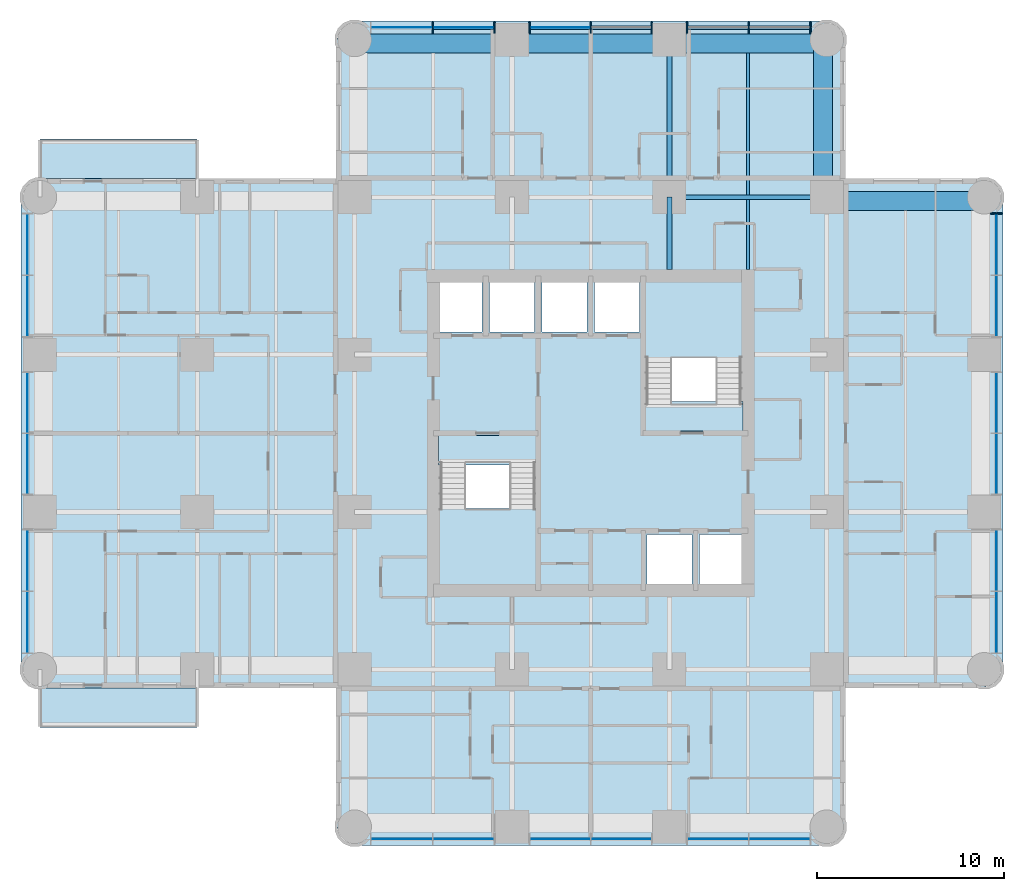
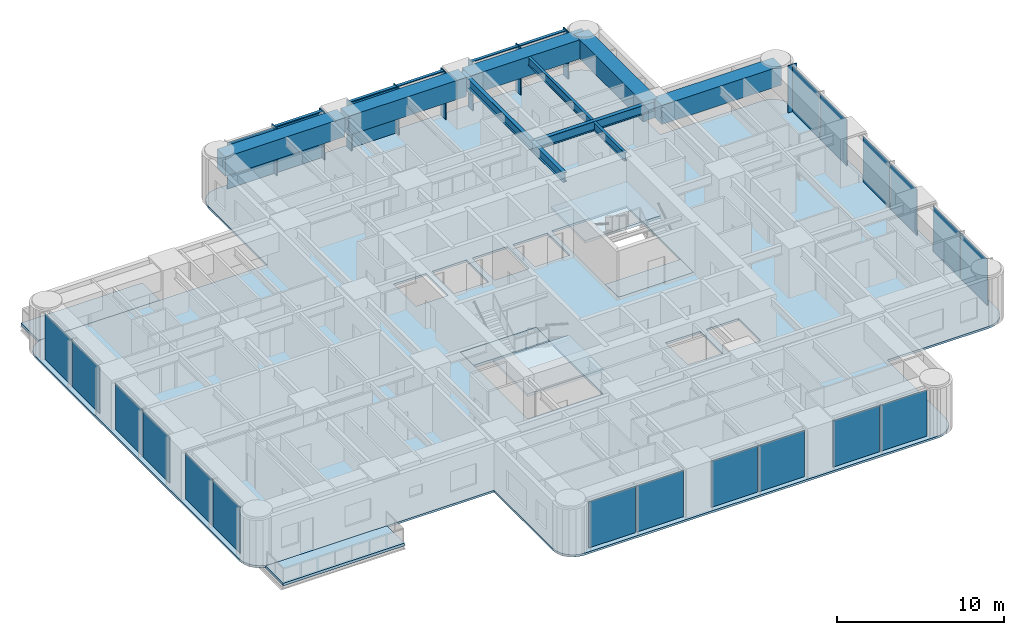
# One storey, part 3 of 11: 21 plates, 14 members, 10 beams, 7 slabs, 6 elements without a shape of their own.
"""IFC4 building model written with IfcOpenShell, lengths in metres."""

from ifc_helpers import new_model, si_unit, direction, frame, origin, origin_2d, place, context, subcontext, project, spatial, polyline, rectangle, i_section, outline, extrude, material, layer, layer_set, material_profile, profile_set, type_object, element, aggregate, save


model = new_model("IFC4")

# Units and contexts
model_context = context("Model", 3, precision=1e-05, world=origin(), true_north=direction((0.0, 1.0)))
body_context = subcontext(model_context, "Body", "Model", "MODEL_VIEW")
ifc_project = project(units=[si_unit("LENGTHUNIT", "METRE"), si_unit("AREAUNIT", "SQUARE_METRE"), si_unit("VOLUMEUNIT", "CUBIC_METRE"), si_unit("PLANEANGLEUNIT", "RADIAN"), si_unit("MASSUNIT", "GRAM", prefix="KILO")], contexts=[model_context])

# Site, building, storey
site_placement = place(None, origin())
site = spatial("IfcSite", under=ifc_project, at=site_placement, CompositionType="ELEMENT")
building_placement = place(site_placement, origin())
building = spatial("IfcBuilding", under=site, at=building_placement, Name="Torre Alcanfor", CompositionType="ELEMENT")
storey_placement = place(building_placement, frame((0.0, 0.0, 186.89990234375)))
storey = spatial("IfcBuildingStorey", under=building, at=storey_placement, Name="L48", CompositionType="ELEMENT", Elevation=186.89990234375)

# Curtain wall, member
ifc_material_1 = material(Name="Aluminium and glass", Category="aluminium")
curtain_wall_type = type_object("IfcCurtainWallType", Name="CW-A unitised apartment glazing with vertical FIN", PredefinedType="NOTDEFINED", material=ifc_material_1)
curtain_wall_1_placement = place(storey_placement, origin())
curtain_wall_1 = element("IfcCurtainWall", 1, at=curtain_wall_1_placement, inside=storey, type_object=curtain_wall_type, Name="Curtain wall CW-A L48 8", PredefinedType="NOTDEFINED")
ifc_material_2 = material(Name="Bronze anodised aluminium", Category="aluminium")
ifc_material_profile_1 = material_profile(ifc_material_2, rectangle(XDim=0.60009765625, YDim=0.06494140625, at=origin_2d()), Name="CW-A mullion 65x600")
ifc_profile_set_1 = profile_set([ifc_material_profile_1], Name="Bronze anodised aluminium")
member_type_1 = type_object("IfcMemberType", Name="CW-A mullion with vertical FIN 65x600", PredefinedType="MULLION", material=ifc_profile_set_1)
member_1_placement = place(storey_placement, frame((51.050048828125, 41.133056640625, 0.0), z_axis=(0.0, 0.0, 1.0), x_axis=(-1.0, 0.0, 0.0)))
member_1 = element("IfcMember", 2, at=member_1_placement, type_object=member_type_1, Name="CW-A mullion 3.3", PredefinedType="MULLION", context=body_context, shape_type="SweptSolid", body=[
    extrude(rectangle(XDim=0.60009765625, YDim=0.06494140625, at=origin_2d()), origin(), (0.0, 0.0, 1.0), 3.4501953125),
])

# Curtain wall, members
curtain_wall_2_placement = place(storey_placement, origin())
curtain_wall_2 = element("IfcCurtainWall", 3, at=curtain_wall_2_placement, inside=storey, type_object=curtain_wall_type, Name="Curtain wall CW-A L48 11", PredefinedType="NOTDEFINED")
member_2_placement = place(storey_placement, frame((41.133056640625, 51.050048828125, 0.0), z_axis=(0.0, 0.0, 1.0), x_axis=(0.0, -1.0, 0.0)))
member_2 = element("IfcMember", 4, at=member_2_placement, type_object=member_type_1, Name="CW-A mullion 1.1", PredefinedType="MULLION", context=body_context, shape_type="SweptSolid", body=[
    extrude(rectangle(XDim=0.60009765625, YDim=0.06494140625, at=origin_2d()), origin(), (0.0, 0.0, 1.0), 3.4501953125),
])
member_3_placement = place(storey_placement, frame((37.835205078125, 51.050048828125, 0.0), z_axis=(0.0, 0.0, 1.0), x_axis=(0.0, -1.0, 0.0)))
member_3 = element("IfcMember", 5, at=member_3_placement, type_object=member_type_1, Name="CW-A mullion 1.2", PredefinedType="MULLION", context=body_context, shape_type="SweptSolid", body=[
    extrude(rectangle(XDim=0.60009765625, YDim=0.06494140625, at=origin_2d()), origin(), (0.0, 0.0, 1.0), 3.4501953125),
])
member_4_placement = place(storey_placement, frame((34.53759765625, 51.050048828125, 0.0), z_axis=(0.0, 0.0, 1.0), x_axis=(0.0, -1.0, 0.0)))
member_4 = element("IfcMember", 6, at=member_4_placement, type_object=member_type_1, Name="CW-A mullion 1.3", PredefinedType="MULLION", context=body_context, shape_type="SweptSolid", body=[
    extrude(rectangle(XDim=0.60009765625, YDim=0.06494140625, at=origin_2d()), origin(), (0.0, 0.0, 1.0), 3.4501953125),
])
member_5_placement = place(storey_placement, frame((32.66259765625, 51.050048828125, 0.0), z_axis=(0.0, 0.0, 1.0), x_axis=(0.0, -1.0, 0.0)))
member_5 = element("IfcMember", 7, at=member_5_placement, type_object=member_type_1, Name="CW-A mullion 2.1", PredefinedType="MULLION", context=body_context, shape_type="SweptSolid", body=[
    extrude(rectangle(XDim=0.60009765625, YDim=0.06494140625, at=origin_2d()), origin(), (0.0, 0.0, 1.0), 3.4501953125),
])
member_6_placement = place(storey_placement, frame((29.39990234375, 51.050048828125, 0.0), z_axis=(0.0, 0.0, 1.0), x_axis=(0.0, -1.0, 0.0)))
member_6 = element("IfcMember", 8, at=member_6_placement, type_object=member_type_1, Name="CW-A mullion 2.2", PredefinedType="MULLION", context=body_context, shape_type="SweptSolid", body=[
    extrude(rectangle(XDim=0.60009765625, YDim=0.06494140625, at=origin_2d()), origin(), (0.0, 0.0, 1.0), 3.4501953125),
])
member_7_placement = place(storey_placement, frame((26.137451171875, 51.050048828125, 0.0), z_axis=(0.0, 0.0, 1.0), x_axis=(0.0, -1.0, 0.0)))
member_7 = element("IfcMember", 9, at=member_7_placement, type_object=member_type_1, Name="CW-A mullion 2.3", PredefinedType="MULLION", context=body_context, shape_type="SweptSolid", body=[
    extrude(rectangle(XDim=0.60009765625, YDim=0.06494140625, at=origin_2d()), origin(), (0.0, 0.0, 1.0), 3.4501953125),
])
member_8_placement = place(storey_placement, frame((24.262451171875, 51.050048828125, 0.0), z_axis=(0.0, 0.0, 1.0), x_axis=(0.0, -1.0, 0.0)))
member_8 = element("IfcMember", 10, at=member_8_placement, type_object=member_type_1, Name="CW-A mullion 3.1", PredefinedType="MULLION", context=body_context, shape_type="SweptSolid", body=[
    extrude(rectangle(XDim=0.60009765625, YDim=0.06494140625, at=origin_2d()), origin(), (0.0, 0.0, 1.0), 3.4501953125),
])
member_9_placement = place(storey_placement, frame((20.96484375, 51.050048828125, 0.0), z_axis=(0.0, 0.0, 1.0), x_axis=(0.0, -1.0, 0.0)))
member_9 = element("IfcMember", 11, at=member_9_placement, type_object=member_type_1, Name="CW-A mullion 3.2", PredefinedType="MULLION", context=body_context, shape_type="SweptSolid", body=[
    extrude(rectangle(XDim=0.60009765625, YDim=0.06494140625, at=origin_2d()), origin(), (0.0, 0.0, 1.0), 3.4501953125),
])
ifc_material_3 = material(Name="Extruded aluminium", Category="aluminium")
ifc_material_profile_2 = material_profile(ifc_material_3, rectangle(XDim=0.199951171875, YDim=0.06494140625, at=origin_2d()), Name="CW-A transom 200x65")
ifc_profile_set_2 = profile_set([ifc_material_profile_2], Name="Extruded aluminium")
member_type_2 = type_object("IfcMemberType", Name="CW-A transom 65x200", PredefinedType="USERDEFINED", material=ifc_profile_set_2)
member_10_placement = place(storey_placement, frame((41.1005859375, 51.050048828125, 3.41748046875), z_axis=(-1.0, 0.0, 0.0), x_axis=(0.0, -1.0, 0.0)))
member_10 = element("IfcMember", 12, at=member_10_placement, type_object=member_type_2, Name="CW-A transom 1.1.2", ObjectType="TRANSOM", PredefinedType="USERDEFINED", context=body_context, shape_type="SweptSolid", body=[
    extrude(rectangle(XDim=0.199951171875, YDim=0.06494140625, at=origin_2d()), origin(), (0.0, 0.0, 1.0), 3.23291015625),
])
member_11_placement = place(storey_placement, frame((37.802734375, 51.050048828125, 3.41748046875), z_axis=(-1.0, 0.0, 0.0), x_axis=(0.0, -1.0, 0.0)))
member_11 = element("IfcMember", 13, at=member_11_placement, type_object=member_type_2, Name="CW-A transom 1.2.2", ObjectType="TRANSOM", PredefinedType="USERDEFINED", context=body_context, shape_type="SweptSolid", body=[
    extrude(rectangle(XDim=0.199951171875, YDim=0.06494140625, at=origin_2d()), origin(), (0.0, 0.0, 1.0), 3.232666015625),
])
member_12_placement = place(storey_placement, frame((32.6298828125, 51.050048828125, 3.41748046875), z_axis=(-1.0, 0.0, 0.0), x_axis=(0.0, -1.0, 0.0)))
member_12 = element("IfcMember", 14, at=member_12_placement, type_object=member_type_2, Name="CW-A transom 2.1.2", ObjectType="TRANSOM", PredefinedType="USERDEFINED", context=body_context, shape_type="SweptSolid", body=[
    extrude(rectangle(XDim=0.199951171875, YDim=0.06494140625, at=origin_2d()), origin(), (0.0, 0.0, 1.0), 3.197265625),
])
member_13_placement = place(storey_placement, frame((29.367431640625, 51.050048828125, 3.41748046875), z_axis=(-1.0, 0.0, 0.0), x_axis=(0.0, -1.0, 0.0)))
member_13 = element("IfcMember", 15, at=member_13_placement, type_object=member_type_2, Name="CW-A transom 2.2.2", ObjectType="TRANSOM", PredefinedType="USERDEFINED", context=body_context, shape_type="SweptSolid", body=[
    extrude(rectangle(XDim=0.199951171875, YDim=0.06494140625, at=origin_2d()), origin(), (0.0, 0.0, 1.0), 3.197509765625),
])
member_14_placement = place(storey_placement, frame((24.22998046875, 51.050048828125, 3.41748046875), z_axis=(-1.0, 0.0, 0.0), x_axis=(0.0, -1.0, 0.0)))
member_14 = element("IfcMember", 16, at=member_14_placement, type_object=member_type_2, Name="CW-A transom 3.1.2", ObjectType="TRANSOM", PredefinedType="USERDEFINED", context=body_context, shape_type="SweptSolid", body=[
    extrude(rectangle(XDim=0.199951171875, YDim=0.06494140625, at=origin_2d()), origin(), (0.0, 0.0, 1.0), 3.232666015625),
])

# Beams
ifc_material_4 = material(Name="Steel ASTM A992 Grade 50", Category="steel")
ifc_material_profile_3 = material_profile(ifc_material_4, i_section(OverallWidth=0.25390625, OverallDepth=0.683349609375, WebThickness=0.012451171875, FlangeThickness=0.01904296875, at=origin_2d()), Name="W27x94")
ifc_profile_set_3 = profile_set([ifc_material_profile_3], Name="Steel ASTM A992 Grade 50")
beam_type_1 = type_object("IfcBeamType", Name="Girder W27x94", PredefinedType="BEAM", material=ifc_profile_set_3)
for number, where, z_axis, x_axis, name in (
    (17, (33.60009765625, 42.0, 3.1083984375), (1.0, 0.0, 0.0), (0.0, 1.0, 0.0), "Beam 5H-6H under L49"),
    (18, (33.60009765625, 42.0, 3.1083984375), (0.0, 1.0, 0.0), (-1.0, 0.0, 0.0), "Beam 5H-5J under L49"),
):
    element("IfcBeam", number, at=place(storey_placement, frame(where, z_axis=z_axis, x_axis=x_axis)), inside=storey, type_object=beam_type_1, Name=name, PredefinedType="BEAM", context=body_context, shape_type="SweptSolid", body=[
        extrude(i_section(OverallWidth=0.25390625, OverallDepth=0.683349609375, WebThickness=0.012451171875, FlangeThickness=0.01904296875, at=origin_2d()), origin(), (0.0, 0.0, 1.0), 8.39990234375),
    ])
ifc_material_5 = material(Name="Steel ASTM A992 Grade 50", Category="steel")
ifc_material_profile_4 = material_profile(ifc_material_5, i_section(OverallWidth=0.25390625, OverallDepth=0.683349609375, WebThickness=0.012451171875, FlangeThickness=0.01904296875, at=origin_2d()), Name="W27x94")
ifc_profile_set_4 = profile_set([ifc_material_profile_4], Name="Steel ASTM A992 Grade 50")
beam_type_2 = type_object("IfcBeamType", Name="Girder, part bay W27x94", PredefinedType="BEAM", material=ifc_profile_set_4)
beam_1_placement = place(storey_placement, frame((33.60009765625, 42.0, 3.1083984375), z_axis=(0.0, -1.0, 0.0), x_axis=(1.0, 0.0, 0.0)))
element("IfcBeam", 19, at=beam_1_placement, inside=storey, type_object=beam_type_2, Name="Beam 5H-538_15 under L49", PredefinedType="BEAM", context=body_context, shape_type="SweptSolid", body=[
    extrude(i_section(OverallWidth=0.25390625, OverallDepth=0.683349609375, WebThickness=0.012451171875, FlangeThickness=0.01904296875, at=origin_2d()), origin(), (0.0, 0.0, 1.0), 3.85009765625),
])
ifc_material_6 = material(Name="Concrete f'c 70 MPa", Category="concrete")
ifc_material_profile_5 = material_profile(ifc_material_6, rectangle(XDim=1.0, YDim=1.39990234375, at=origin_2d()), Name="1000x1400")
ifc_profile_set_5 = profile_set([ifc_material_profile_5], Name="Concrete f'c 70 MPa")
beam_type_3 = type_object("IfcBeamType", Name="RC perimeter beam 1000x1400", PredefinedType="BEAM", material=ifc_profile_set_5)
for number, where, z_axis, x_axis, name in (
    (20, (42.126953125, 41.800048828125, 2.75), (1.0, 0.0, 0.0), (0.0, 1.0, 0.0), "Beam 6H-7H under L49"),
    (21, (16.800048828125, 50.199951171875, 2.75), (1.0, 0.0, 0.0), (0.0, 1.0, 0.0), "Beam 3J-4J under L49"),
):
    element("IfcBeam", number, at=place(storey_placement, frame(where, z_axis=z_axis, x_axis=x_axis)), inside=storey, type_object=beam_type_3, Name=name, PredefinedType="BEAM", context=body_context, shape_type="SweptSolid", body=[
        extrude(rectangle(XDim=1.0, YDim=1.39990234375, at=origin_2d()), origin(), (0.0, 0.0, 1.0), 8.27294921875),
    ])
beam_2_placement = place(storey_placement, frame((25.326904296875, 50.199951171875, 2.75), z_axis=(1.0, 0.0, 0.0), x_axis=(0.0, 1.0, 0.0)))
element("IfcBeam", 22, at=beam_2_placement, inside=storey, type_object=beam_type_3, Name="Beam 4J-5J under L49", PredefinedType="BEAM", context=body_context, shape_type="SweptSolid", body=[
    extrude(rectangle(XDim=1.0, YDim=1.39990234375, at=origin_2d()), origin(), (0.0, 0.0, 1.0), 8.14599609375),
])
for number, where, z_axis, x_axis, name in (
    (23, (33.72705078125, 50.199951171875, 2.75), (1.0, 0.0, 0.0), (0.0, 1.0, 0.0), "Beam 5J-6J under L49"),
    (24, (41.800048828125, 42.126953125, 2.75), (0.0, 1.0, 0.0), (-1.0, 0.0, 0.0), "Beam 6H-6J under L49"),
):
    element("IfcBeam", number, at=place(storey_placement, frame(where, z_axis=z_axis, x_axis=x_axis)), inside=storey, type_object=beam_type_3, Name=name, PredefinedType="BEAM", context=body_context, shape_type="SweptSolid", body=[
        extrude(rectangle(XDim=1.0, YDim=1.39990234375, at=origin_2d()), origin(), (0.0, 0.0, 1.0), 8.27294921875),
    ])
ifc_material_7 = material(Name="Steel ASTM A992 Grade 50", Category="steel")
ifc_material_profile_6 = material_profile(ifc_material_7, i_section(OverallWidth=0.1787109375, OverallDepth=0.60205078125, WebThickness=0.010986328125, FlangeThickness=0.014892578125, at=origin_2d()), Name="W24x62")
ifc_profile_set_6 = profile_set([ifc_material_profile_6], Name="Steel ASTM A992 Grade 50")
beam_type_4 = type_object("IfcBeamType", Name="Secondary beam W24x62", PredefinedType="BEAM", material=ifc_profile_set_6)
beam_3_placement = place(storey_placement, frame((37.800048828125, 42.126953125, 3.149169921875), z_axis=(0.0, 1.0, 0.0), x_axis=(-1.0, 0.0, 0.0)))
element("IfcBeam", 25, at=beam_3_placement, inside=storey, type_object=beam_type_4, Name="Beam 37_8H-37_8J under L49", PredefinedType="BEAM", context=body_context, shape_type="SweptSolid", body=[
    extrude(i_section(OverallWidth=0.1787109375, OverallDepth=0.60205078125, WebThickness=0.010986328125, FlangeThickness=0.014892578125, at=origin_2d()), origin(), (0.0, 0.0, 1.0), 7.572998046875),
])
ifc_material_8 = material(Name="Steel ASTM A992 Grade 50", Category="steel")
ifc_material_profile_7 = material_profile(ifc_material_8, i_section(OverallWidth=0.1787109375, OverallDepth=0.60205078125, WebThickness=0.010986328125, FlangeThickness=0.014892578125, at=origin_2d()), Name="W24x62")
ifc_profile_set_7 = profile_set([ifc_material_profile_7], Name="Steel ASTM A992 Grade 50")
beam_type_5 = type_object("IfcBeamType", Name="Secondary beam, part bay W24x62", PredefinedType="BEAM", material=ifc_profile_set_7)
beam_4_placement = place(storey_placement, frame((37.800048828125, 38.14990234375, 3.149169921875), z_axis=(0.0, 1.0, 0.0), x_axis=(-1.0, 0.0, 0.0)))
element("IfcBeam", 26, at=beam_4_placement, inside=storey, type_object=beam_type_5, Name="Beam 37_838_15-37_8H under L49", PredefinedType="BEAM", context=body_context, shape_type="SweptSolid", body=[
    extrude(i_section(OverallWidth=0.1787109375, OverallDepth=0.60205078125, WebThickness=0.010986328125, FlangeThickness=0.014892578125, at=origin_2d()), origin(), (0.0, 0.0, 1.0), 3.72314453125),
])

# Slabs
ifc_material_9 = material(Name="Concrete f'c 35 MPa", Category="concrete")
ifc_layer_1 = layer(ifc_material_9, 0.199951171875)
ifc_layer_set_1 = layer_set([ifc_layer_1], Name="Balcony slab 200")
slab_type_1 = type_object("IfcSlabType", Name="Balcony slab 200", PredefinedType="FLOOR", material=ifc_layer_set_1)
slab_1_placement = place(storey_placement, frame((0.0, 0.0, -0.199951171875)))
element("IfcSlab", 27, at=slab_1_placement, inside=storey, type_object=slab_type_1, Name="Balcony L48-W1", PredefinedType="FLOOR", context=body_context, shape_type="SweptSolid", body=[
    extrude(outline(polyline([(8.39990234375, 15.800048828125), (0.0, 15.800048828125), (0.0, 13.699951171875), (8.39990234375, 13.699951171875), (8.39990234375, 15.800048828125)])), origin(), (0.0, 0.0, 1.0), 0.199951171875),
])
slab_2_placement = place(storey_placement, frame((0.0, 0.0, -0.199951171875)))
element("IfcSlab", 28, at=slab_2_placement, inside=storey, type_object=slab_type_1, Name="Balcony L48-W2", PredefinedType="FLOOR", context=body_context, shape_type="SweptSolid", body=[
    extrude(outline(polyline([(8.39990234375, 45.10009765625), (0.0, 45.10009765625), (0.0, 43.0), (8.39990234375, 43.0), (8.39990234375, 45.10009765625)])), origin(), (0.0, 0.0, 1.0), 0.199951171875),
])

# Curtain wall, plates
curtain_wall_3_placement = place(storey_placement, origin())
curtain_wall_3 = element("IfcCurtainWall", 29, at=curtain_wall_3_placement, inside=storey, type_object=curtain_wall_type, Name="Curtain wall CW-A L48 2", PredefinedType="NOTDEFINED")
ifc_material_10 = material(Name="Glass", Category="glass")
ifc_layer_2 = layer(ifc_material_10, 0.028076171875)
ifc_layer_set_2 = layer_set([ifc_layer_2], Name="CW-A clear double glazed unit")
plate_type = type_object("IfcPlateType", Name="CW-A clear double glazed unit", PredefinedType="CURTAIN_PANEL", material=ifc_layer_set_2)
plate_1_placement = place(storey_placement, frame((-0.64990234375, 39.484130859375, 0.0), z_axis=(0.0, 0.0, 1.0), x_axis=(0.0, -1.0, 0.0)))
plate_1 = element("IfcPlate", 30, at=plate_1_placement, type_object=plate_type, Name="CW-A panel 1.1.1", PredefinedType="CURTAIN_PANEL", context=body_context, shape_type="SweptSolid", body=[
    extrude(rectangle(XDim=3.232666015625, YDim=0.028076171875, at=origin_2d()), origin(), (0.0, 0.0, 1.0), 3.385009765625),
])
plate_2_placement = place(storey_placement, frame((-0.64990234375, 36.186279296875, 0.0), z_axis=(0.0, 0.0, 1.0), x_axis=(0.0, -1.0, 0.0)))
plate_2 = element("IfcPlate", 31, at=plate_2_placement, type_object=plate_type, Name="CW-A panel 1.2.1", PredefinedType="CURTAIN_PANEL", context=body_context, shape_type="SweptSolid", body=[
    extrude(rectangle(XDim=3.232666015625, YDim=0.028076171875, at=origin_2d()), origin(), (0.0, 0.0, 1.0), 3.385009765625),
])
plate_3_placement = place(storey_placement, frame((-0.64990234375, 31.03125, 0.0), z_axis=(0.0, 0.0, 1.0), x_axis=(0.0, -1.0, 0.0)))
plate_3 = element("IfcPlate", 32, at=plate_3_placement, type_object=plate_type, Name="CW-A panel 2.1.1", PredefinedType="CURTAIN_PANEL", context=body_context, shape_type="SweptSolid", body=[
    extrude(rectangle(XDim=3.197509765625, YDim=0.028076171875, at=origin_2d()), origin(), (0.0, 0.0, 1.0), 3.385009765625),
])
plate_4_placement = place(storey_placement, frame((-0.64990234375, 27.768798828125, 0.0), z_axis=(0.0, 0.0, 1.0), x_axis=(0.0, -1.0, 0.0)))
plate_4 = element("IfcPlate", 33, at=plate_4_placement, type_object=plate_type, Name="CW-A panel 2.2.1", PredefinedType="CURTAIN_PANEL", context=body_context, shape_type="SweptSolid", body=[
    extrude(rectangle(XDim=3.197509765625, YDim=0.028076171875, at=origin_2d()), origin(), (0.0, 0.0, 1.0), 3.385009765625),
])
plate_5_placement = place(storey_placement, frame((-0.64990234375, 22.613525390625, 0.0), z_axis=(0.0, 0.0, 1.0), x_axis=(0.0, -1.0, 0.0)))
plate_5 = element("IfcPlate", 34, at=plate_5_placement, type_object=plate_type, Name="CW-A panel 3.1.1", PredefinedType="CURTAIN_PANEL", context=body_context, shape_type="SweptSolid", body=[
    extrude(rectangle(XDim=3.232666015625, YDim=0.028076171875, at=origin_2d()), origin(), (0.0, 0.0, 1.0), 3.385009765625),
])
plate_6_placement = place(storey_placement, frame((-0.64990234375, 19.31591796875, 0.0), z_axis=(0.0, 0.0, 1.0), x_axis=(0.0, -1.0, 0.0)))
plate_6 = element("IfcPlate", 35, at=plate_6_placement, type_object=plate_type, Name="CW-A panel 3.2.1", PredefinedType="CURTAIN_PANEL", context=body_context, shape_type="SweptSolid", body=[
    extrude(rectangle(XDim=3.232666015625, YDim=0.028076171875, at=origin_2d()), origin(), (0.0, 0.0, 1.0), 3.385009765625),
])
aggregate(curtain_wall_3, [plate_1, plate_2, plate_3, plate_4, plate_5, plate_6])

curtain_wall_4_placement = place(storey_placement, origin())
curtain_wall_4 = element("IfcCurtainWall", 36, at=curtain_wall_4_placement, inside=storey, type_object=curtain_wall_type, Name="Curtain wall CW-A L48 5", PredefinedType="NOTDEFINED")
plate_7_placement = place(storey_placement, frame((19.31591796875, 7.75, 0.0), z_axis=(0.0, 0.0, 1.0), x_axis=(1.0, 0.0, 0.0)))
plate_7 = element("IfcPlate", 37, at=plate_7_placement, type_object=plate_type, Name="CW-A panel 1.1.1", PredefinedType="CURTAIN_PANEL", context=body_context, shape_type="SweptSolid", body=[
    extrude(rectangle(XDim=3.232666015625, YDim=0.028076171875, at=origin_2d()), origin(), (0.0, 0.0, 1.0), 3.385009765625),
])
plate_8_placement = place(storey_placement, frame((22.613525390625, 7.75, 0.0), z_axis=(0.0, 0.0, 1.0), x_axis=(1.0, 0.0, 0.0)))
plate_8 = element("IfcPlate", 38, at=plate_8_placement, type_object=plate_type, Name="CW-A panel 1.2.1", PredefinedType="CURTAIN_PANEL", context=body_context, shape_type="SweptSolid", body=[
    extrude(rectangle(XDim=3.232666015625, YDim=0.028076171875, at=origin_2d()), origin(), (0.0, 0.0, 1.0), 3.385009765625),
])
plate_9_placement = place(storey_placement, frame((27.768798828125, 7.75, 0.0), z_axis=(0.0, 0.0, 1.0), x_axis=(1.0, 0.0, 0.0)))
plate_9 = element("IfcPlate", 39, at=plate_9_placement, type_object=plate_type, Name="CW-A panel 2.1.1", PredefinedType="CURTAIN_PANEL", context=body_context, shape_type="SweptSolid", body=[
    extrude(rectangle(XDim=3.197509765625, YDim=0.028076171875, at=origin_2d()), origin(), (0.0, 0.0, 1.0), 3.385009765625),
])
plate_10_placement = place(storey_placement, frame((31.03125, 7.75, 0.0), z_axis=(0.0, 0.0, 1.0), x_axis=(1.0, 0.0, 0.0)))
plate_10 = element("IfcPlate", 40, at=plate_10_placement, type_object=plate_type, Name="CW-A panel 2.2.1", PredefinedType="CURTAIN_PANEL", context=body_context, shape_type="SweptSolid", body=[
    extrude(rectangle(XDim=3.197509765625, YDim=0.028076171875, at=origin_2d()), origin(), (0.0, 0.0, 1.0), 3.385009765625),
])
plate_11_placement = place(storey_placement, frame((36.186279296875, 7.75, 0.0), z_axis=(0.0, 0.0, 1.0), x_axis=(1.0, 0.0, 0.0)))
plate_11 = element("IfcPlate", 41, at=plate_11_placement, type_object=plate_type, Name="CW-A panel 3.1.1", PredefinedType="CURTAIN_PANEL", context=body_context, shape_type="SweptSolid", body=[
    extrude(rectangle(XDim=3.232666015625, YDim=0.028076171875, at=origin_2d()), origin(), (0.0, 0.0, 1.0), 3.385009765625),
])
plate_12_placement = place(storey_placement, frame((39.484130859375, 7.75, 0.0), z_axis=(0.0, 0.0, 1.0), x_axis=(1.0, 0.0, 0.0)))
plate_12 = element("IfcPlate", 42, at=plate_12_placement, type_object=plate_type, Name="CW-A panel 3.2.1", PredefinedType="CURTAIN_PANEL", context=body_context, shape_type="SweptSolid", body=[
    extrude(rectangle(XDim=3.232666015625, YDim=0.028076171875, at=origin_2d()), origin(), (0.0, 0.0, 1.0), 3.385009765625),
])
aggregate(curtain_wall_4, [plate_7, plate_8, plate_9, plate_10, plate_11, plate_12])

# Plate
plate_13_placement = place(storey_placement, frame((51.050048828125, 19.31591796875, 0.0), z_axis=(0.0, 0.0, 1.0), x_axis=(0.0, 1.0, 0.0)))
plate_13 = element("IfcPlate", 43, at=plate_13_placement, type_object=plate_type, Name="CW-A panel 1.1.1", PredefinedType="CURTAIN_PANEL", context=body_context, shape_type="SweptSolid", body=[
    extrude(rectangle(XDim=3.232666015625, YDim=0.028076171875, at=origin_2d()), origin(), (0.0, 0.0, 1.0), 3.385009765625),
])

plate_14_placement = place(storey_placement, frame((51.050048828125, 22.613525390625, 0.0), z_axis=(0.0, 0.0, 1.0), x_axis=(0.0, 1.0, 0.0)))
plate_14 = element("IfcPlate", 44, at=plate_14_placement, type_object=plate_type, Name="CW-A panel 1.2.1", PredefinedType="CURTAIN_PANEL", context=body_context, shape_type="SweptSolid", body=[
    extrude(rectangle(XDim=3.232666015625, YDim=0.028076171875, at=origin_2d()), origin(), (0.0, 0.0, 1.0), 3.385009765625),
])

plate_15_placement = place(storey_placement, frame((51.050048828125, 27.768798828125, 0.0), z_axis=(0.0, 0.0, 1.0), x_axis=(0.0, 1.0, 0.0)))
plate_15 = element("IfcPlate", 45, at=plate_15_placement, type_object=plate_type, Name="CW-A panel 2.1.1", PredefinedType="CURTAIN_PANEL", context=body_context, shape_type="SweptSolid", body=[
    extrude(rectangle(XDim=3.197509765625, YDim=0.028076171875, at=origin_2d()), origin(), (0.0, 0.0, 1.0), 3.385009765625),
])

plate_16_placement = place(storey_placement, frame((51.050048828125, 31.03125, 0.0), z_axis=(0.0, 0.0, 1.0), x_axis=(0.0, 1.0, 0.0)))
plate_16 = element("IfcPlate", 46, at=plate_16_placement, type_object=plate_type, Name="CW-A panel 2.2.1", PredefinedType="CURTAIN_PANEL", context=body_context, shape_type="SweptSolid", body=[
    extrude(rectangle(XDim=3.197509765625, YDim=0.028076171875, at=origin_2d()), origin(), (0.0, 0.0, 1.0), 3.385009765625),
])

plate_17_placement = place(storey_placement, frame((51.050048828125, 36.186279296875, 0.0), z_axis=(0.0, 0.0, 1.0), x_axis=(0.0, 1.0, 0.0)))
plate_17 = element("IfcPlate", 47, at=plate_17_placement, type_object=plate_type, Name="CW-A panel 3.1.1", PredefinedType="CURTAIN_PANEL", context=body_context, shape_type="SweptSolid", body=[
    extrude(rectangle(XDim=3.232666015625, YDim=0.028076171875, at=origin_2d()), origin(), (0.0, 0.0, 1.0), 3.385009765625),
])

plate_18_placement = place(storey_placement, frame((51.050048828125, 39.484130859375, 0.0), z_axis=(0.0, 0.0, 1.0), x_axis=(0.0, 1.0, 0.0)))
plate_18 = element("IfcPlate", 48, at=plate_18_placement, type_object=plate_type, Name="CW-A panel 3.2.1", PredefinedType="CURTAIN_PANEL", context=body_context, shape_type="SweptSolid", body=[
    extrude(rectangle(XDim=3.232666015625, YDim=0.028076171875, at=origin_2d()), origin(), (0.0, 0.0, 1.0), 3.385009765625),
])

aggregate(curtain_wall_1, [plate_13, plate_14, plate_15, plate_16, member_1, plate_17, plate_18])

plate_19_placement = place(storey_placement, frame((27.768798828125, 51.050048828125, 0.0), z_axis=(0.0, 0.0, 1.0), x_axis=(-1.0, 0.0, 0.0)))
plate_19 = element("IfcPlate", 49, at=plate_19_placement, type_object=plate_type, Name="CW-A panel 2.2.1", PredefinedType="CURTAIN_PANEL", context=body_context, shape_type="SweptSolid", body=[
    extrude(rectangle(XDim=3.197509765625, YDim=0.028076171875, at=origin_2d()), origin(), (0.0, 0.0, 1.0), 3.385009765625),
])

plate_20_placement = place(storey_placement, frame((22.613525390625, 51.050048828125, 0.0), z_axis=(0.0, 0.0, 1.0), x_axis=(-1.0, 0.0, 0.0)))
plate_20 = element("IfcPlate", 50, at=plate_20_placement, type_object=plate_type, Name="CW-A panel 3.1.1", PredefinedType="CURTAIN_PANEL", context=body_context, shape_type="SweptSolid", body=[
    extrude(rectangle(XDim=3.232666015625, YDim=0.028076171875, at=origin_2d()), origin(), (0.0, 0.0, 1.0), 3.385009765625),
])

plate_21_placement = place(storey_placement, frame((19.31591796875, 51.050048828125, 0.0), z_axis=(0.0, 0.0, 1.0), x_axis=(-1.0, 0.0, 0.0)))
plate_21 = element("IfcPlate", 51, at=plate_21_placement, type_object=plate_type, Name="CW-A panel 3.2.1", PredefinedType="CURTAIN_PANEL", context=body_context, shape_type="SweptSolid", body=[
    extrude(rectangle(XDim=3.232666015625, YDim=0.028076171875, at=origin_2d()), origin(), (0.0, 0.0, 1.0), 3.385009765625),
])

aggregate(curtain_wall_2, [member_2, member_3, member_4, member_10, member_11, member_5, member_6, member_7, member_12, member_13, plate_19, member_8, member_9, member_14, plate_20, plate_21])

# Slab
ifc_material_11 = material(Name="Concrete f'c 35 MPa", Category="concrete")
ifc_layer_3 = layer(ifc_material_11, 0.14990234375)
ifc_layer_set_3 = layer_set([ifc_layer_3], Name="Composite floor 150 on metal deck")
slab_type_2 = type_object("IfcSlabType", Name="Composite floor 150 on metal deck", PredefinedType="FLOOR", material=ifc_layer_set_3)
slab_3_placement = place(storey_placement, frame((0.0, 0.0, -0.14990234375)))
element("IfcSlab", 52, at=slab_3_placement, inside=storey, type_object=slab_type_2, Name="Floor slab L48", PredefinedType="FLOOR", context=body_context, shape_type="SweptSolid", body=[
    extrude(outline(polyline([(15.800048828125, 43.0), (0.39990234375, 43.0), (0.03759765625, 42.952392578125), (-0.300048828125, 42.8125), (-0.58984375, 42.58984375), (-0.8125, 42.300048828125), (-0.952392578125, 41.96240234375), (-1.0, 41.60009765625), (-1.0, 17.199951171875), (-0.952392578125, 16.837646484375), (-0.8125, 16.5), (-0.58984375, 16.210205078125), (-0.300048828125, 15.987548828125), (0.03759765625, 15.84765625), (0.39990234375, 15.800048828125), (15.800048828125, 15.800048828125), (15.800048828125, 8.800048828125), (15.84765625, 8.437744140625), (15.987548828125, 8.10009765625), (16.210205078125, 7.81005859375), (16.5, 7.587646484375), (16.837646484375, 7.44775390625), (17.199951171875, 7.39990234375), (41.60009765625, 7.39990234375), (41.96240234375, 7.44775390625), (42.300048828125, 7.587646484375), (42.58984375, 7.81005859375), (42.8125, 8.10009765625), (42.952392578125, 8.437744140625), (43.0, 8.800048828125), (43.0, 15.800048828125), (50.0, 15.800048828125), (50.3623046875, 15.84765625), (50.699951171875, 15.987548828125), (50.989990234375, 16.210205078125), (51.21240234375, 16.5), (51.352294921875, 16.837646484375), (51.39990234375, 17.199951171875), (51.39990234375, 41.60009765625), (51.352294921875, 41.96240234375), (51.21240234375, 42.300048828125), (50.989990234375, 42.58984375), (50.699951171875, 42.8125), (50.3623046875, 42.952392578125), (50.0, 43.0), (43.0, 43.0), (43.0, 50.0), (42.952392578125, 50.3623046875), (42.8125, 50.699951171875), (42.58984375, 50.989990234375), (42.300048828125, 51.21240234375), (41.96240234375, 51.352294921875), (41.60009765625, 51.39990234375), (17.199951171875, 51.39990234375), (16.837646484375, 51.352294921875), (16.5, 51.21240234375), (16.210205078125, 50.989990234375), (15.987548828125, 50.699951171875), (15.84765625, 50.3623046875), (15.800048828125, 50.0), (15.800048828125, 43.0)]), holes=[polyline([(21.27001953125, 21.27001953125), (26.47998046875, 21.27001953125), (26.47998046875, 29.280029296875), (21.27001953125, 29.280029296875), (21.27001953125, 21.27001953125)]), polyline([(32.320068359375, 29.52001953125), (37.530029296875, 29.52001953125), (37.530029296875, 37.530029296875), (32.320068359375, 37.530029296875), (32.320068359375, 29.52001953125)]), polyline([(32.39990234375, 21.35009765625), (34.800048828125, 21.35009765625), (34.800048828125, 24.0), (32.39990234375, 24.0), (32.39990234375, 21.35009765625)]), polyline([(35.199951171875, 21.35009765625), (37.449951171875, 21.35009765625), (37.449951171875, 24.0), (35.199951171875, 24.0), (35.199951171875, 21.35009765625)]), polyline([(21.35009765625, 34.800048828125), (23.60009765625, 34.800048828125), (23.60009765625, 37.449951171875), (21.35009765625, 37.449951171875), (21.35009765625, 34.800048828125)]), polyline([(24.0, 34.800048828125), (26.39990234375, 34.800048828125), (26.39990234375, 37.449951171875), (24.0, 37.449951171875), (24.0, 34.800048828125)]), polyline([(26.800048828125, 34.800048828125), (29.199951171875, 34.800048828125), (29.199951171875, 37.449951171875), (26.800048828125, 37.449951171875), (26.800048828125, 34.800048828125)]), polyline([(29.60009765625, 34.800048828125), (32.0, 34.800048828125), (32.0, 37.449951171875), (29.60009765625, 37.449951171875), (29.60009765625, 34.800048828125)])]), origin(), (0.0, 0.0, 1.0), 0.14990234375),
])

# Stair, slabs
ifc_material_12 = material(Name="Concrete f'c 35 MPa", Category="concrete")
stair_type_1 = type_object("IfcStairType", Name="Exit stair S1 1400 wide", PredefinedType="HALF_TURN_STAIR", material=ifc_material_12)
stair_1_placement = place(storey_placement, origin())
stair_1 = element("IfcStair", 53, at=stair_1_placement, inside=storey, type_object=stair_type_1, Name="Stair S1 L48 to L49", PredefinedType="HALF_TURN_STAIR")
ifc_material_13 = material(Name="Concrete f'c 35 MPa", Category="concrete")
ifc_layer_4 = layer(ifc_material_13, 0.199951171875)
ifc_layer_set_4 = layer_set([ifc_layer_4], Name="Stair landing 200")
slab_type_3 = type_object("IfcSlabType", Name="Stair landing 200", PredefinedType="LANDING", material=ifc_layer_set_4)
slab_4_placement = place(storey_placement, frame((0.0, 0.0, -0.199951171875)))
slab_4 = element("IfcSlab", 54, at=slab_4_placement, type_object=slab_type_3, Name="S1 landing 1", PredefinedType="LANDING", context=body_context, shape_type="SweptSolid", body=[
    extrude(outline(polyline([(21.27001953125, 27.699951171875), (26.47998046875, 27.699951171875), (26.47998046875, 29.280029296875), (21.27001953125, 29.280029296875), (21.27001953125, 27.699951171875)])), origin(), (0.0, 0.0, 1.0), 0.199951171875),
])
slab_5_placement = place(storey_placement, frame((0.0, 0.0, 1.60009765625)))
slab_5 = element("IfcSlab", 55, at=slab_5_placement, type_object=slab_type_3, Name="S1 landing 2", PredefinedType="LANDING", context=body_context, shape_type="SweptSolid", body=[
    extrude(outline(polyline([(21.27001953125, 21.27001953125), (26.530029296875, 21.27001953125), (26.530029296875, 25.3798828125), (21.27001953125, 25.3798828125), (21.27001953125, 21.27001953125)])), origin(), (0.0, 0.0, 1.0), 0.199951171875),
])
aggregate(stair_1, [slab_4, slab_5])

ifc_material_14 = material(Name="Concrete f'c 35 MPa", Category="concrete")
stair_type_2 = type_object("IfcStairType", Name="Exit stair S2 1400 wide", PredefinedType="HALF_TURN_STAIR", material=ifc_material_14)
stair_2_placement = place(storey_placement, origin())
stair_2 = element("IfcStair", 56, at=stair_2_placement, inside=storey, type_object=stair_type_2, Name="Stair S2 L48 to L49", PredefinedType="HALF_TURN_STAIR")
slab_6_placement = place(storey_placement, frame((0.0, 0.0, -0.199951171875)))
slab_6 = element("IfcSlab", 57, at=slab_6_placement, type_object=slab_type_3, Name="S2 landing 1", PredefinedType="LANDING", context=body_context, shape_type="SweptSolid", body=[
    extrude(outline(polyline([(32.320068359375, 29.52001953125), (37.530029296875, 29.52001953125), (37.530029296875, 31.10009765625), (32.320068359375, 31.10009765625), (32.320068359375, 29.52001953125)])), origin(), (0.0, 0.0, 1.0), 0.199951171875),
])
slab_7_placement = place(storey_placement, frame((0.0, 0.0, 1.60009765625)))
slab_7 = element("IfcSlab", 58, at=slab_7_placement, type_object=slab_type_3, Name="S2 landing 2", PredefinedType="LANDING", context=body_context, shape_type="SweptSolid", body=[
    extrude(outline(polyline([(32.27001953125, 33.419921875), (37.530029296875, 33.419921875), (37.530029296875, 37.530029296875), (32.27001953125, 37.530029296875), (32.27001953125, 33.419921875)])), origin(), (0.0, 0.0, 1.0), 0.199951171875),
])
aggregate(stair_2, [slab_6, slab_7])

save(model, "model.ifc")
